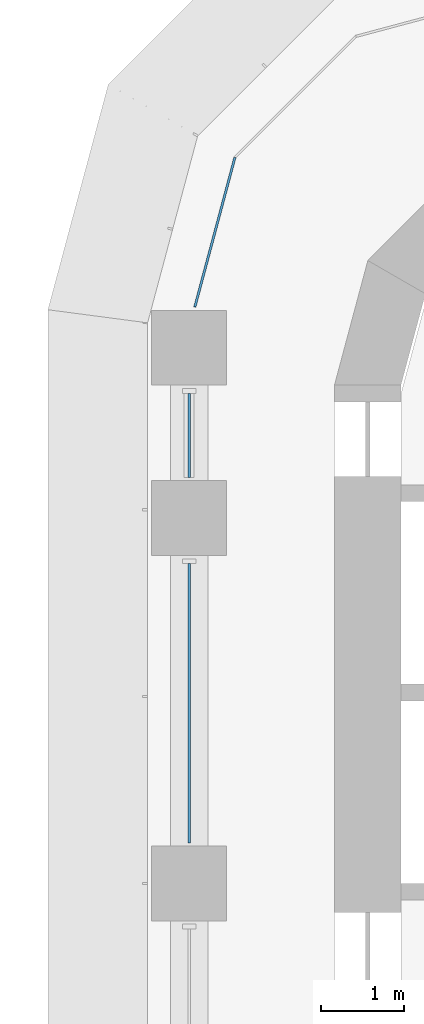
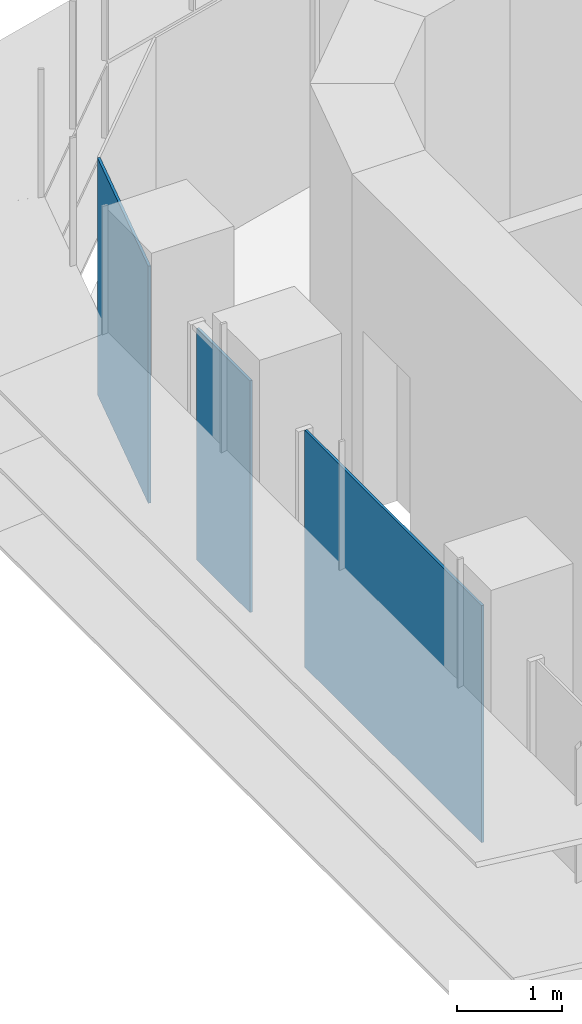
# One storey, part 13 of 22: 3 plates, 2 elements without a shape of their own.
"""IFC4 building model written with IfcOpenShell, lengths in metres."""

from ifc_helpers import new_model, si_unit, direction, frame, origin, place, context, subcontext, project, spatial, polyline, outline, extrude, source, transform, mapped, material, layer, layer_set, type_object, element, aggregate, save


model = new_model("IFC4")

# Units and contexts
model_context = context("Model", 3, precision=1e-05, world=origin(), true_north=direction((0.0, 1.0)))
body_context = subcontext(model_context, "Body", "Model", "MODEL_VIEW")
ifc_project = project(units=[si_unit("LENGTHUNIT", "METRE"), si_unit("AREAUNIT", "SQUARE_METRE"), si_unit("VOLUMEUNIT", "CUBIC_METRE"), si_unit("PLANEANGLEUNIT", "RADIAN"), si_unit("MASSUNIT", "GRAM", prefix="KILO")], contexts=[model_context])

# Site, building, storey
site_placement = place(None, origin())
site = spatial("IfcSite", under=ifc_project, at=site_placement, CompositionType="ELEMENT")
building_placement = place(site_placement, origin())
building = spatial("IfcBuilding", under=site, at=building_placement, Name="Zarbagh Exchange Tower", CompositionType="ELEMENT")
storey_placement = place(building_placement, frame((0.0, 0.0, 113.199951171875)))
storey = spatial("IfcBuildingStorey", under=building, at=storey_placement, Name="L26", CompositionType="ELEMENT", Elevation=113.199951171875)

# Curtain wall, plate
ifc_material_1 = material(Name="Anodised aluminium frame and glazing", Category="aluminium")
curtain_wall_type = type_object("IfcCurtainWallType", Name="CWA Ribbon glazing, lower zones", PredefinedType="NOTDEFINED", material=ifc_material_1)
curtain_wall_1_placement = place(storey_placement, origin())
curtain_wall_1 = element("IfcCurtainWall", 1, at=curtain_wall_1_placement, inside=storey, type_object=curtain_wall_type, Name="CWA56 curtain wall", PredefinedType="NOTDEFINED")
ifc_material_2 = material(Name="Low-e double glazed unit, 6+12+6 mm")
ifc_layer = layer(ifc_material_2, 0.028076171875)
ifc_layer_set = layer_set([ifc_layer], Name="PAA Glazing panel, Low-e double glazed unit, 6+12+6 mm")
plate_type = type_object("IfcPlateType", Name="PAA Glazing panel, Low-e double glazed unit, 6+12+6 mm", PredefinedType="CURTAIN_PANEL", material=ifc_layer_set)
shared_shape_1 = source(origin(), body_context, "Body", "SweptSolid", [
    extrude(outline(polyline([(0.0, -0.013916015625), (3.360107421875, -0.013916015625), (3.360107421875, 0.013916015625), (0.0, 0.013916015625), (0.0, -0.013916015625)])), origin(), (0.0, 0.0, 1.0), 2.75),
])
placement = place(storey_placement, origin())
plate_1 = element("IfcPlate", 2, at=placement, type_object=plate_type, Name="CWA56 glazing panel 2.1", PredefinedType="CURTAIN_PANEL", context=body_context, shape_type="MappedRepresentation", body=[
    mapped(shared_shape_1, transform((-6.25, 24.099853515625, 0.0), x_axis=(0.0, -1.0, 0.0), y_axis=(1.0, 0.0, 0.0), z_axis=(0.0, 0.0, 1.0))),
])

curtain_wall_2_placement = place(storey_placement, origin())
curtain_wall_2 = element("IfcCurtainWall", 3, at=curtain_wall_2_placement, inside=storey, type_object=curtain_wall_type, Name="CWA55 curtain wall", PredefinedType="NOTDEFINED")
shared_shape_2 = source(origin(), body_context, "Body", "SweptSolid", [
    extrude(outline(polyline([(0.0, -0.013916015625), (1.86474609375, -0.013916015625), (1.86474609375, 0.013916015625), (0.0, 0.013916015625), (0.0, -0.013916015625)])), origin(), (0.0, 0.0, 1.0), 2.75),
])
plate_2 = element("IfcPlate", 4, at=placement, type_object=plate_type, Name="CWA55 glazing panel 1.1", PredefinedType="CURTAIN_PANEL", context=body_context, shape_type="MappedRepresentation", body=[
    mapped(shared_shape_2, transform((-5.69873046875, 28.9912109375, 0.0), x_axis=(-0.258824779902, -0.965924289636, 0.0), y_axis=(0.965924289636, -0.258824779902, 0.0), z_axis=(0.0, 0.0, 1.0))),
])
aggregate(curtain_wall_2, [plate_2])

# Plate
shared_shape_3 = source(origin(), body_context, "Body", "SweptSolid", [
    extrude(outline(polyline([(0.0, -0.013916015625), (1.010009765625, -0.013916015625), (1.010009765625, 0.013916015625), (0.0, 0.013916015625), (0.0, -0.013916015625)])), origin(), (0.0, 0.0, 1.0), 2.68994140625),
])
plate_3 = element("IfcPlate", 5, at=placement, type_object=plate_type, Name="CWA56 glazing panel 1.1", PredefinedType="CURTAIN_PANEL", context=body_context, shape_type="MappedRepresentation", body=[
    mapped(shared_shape_3, transform((-6.25, 26.14990234375, 0.0), x_axis=(0.0, -1.0, 0.0), y_axis=(1.0, 0.0, 0.0), z_axis=(0.0, 0.0, 1.0))),
])

aggregate(curtain_wall_1, [plate_3, plate_1])

save(model, "model.ifc")
